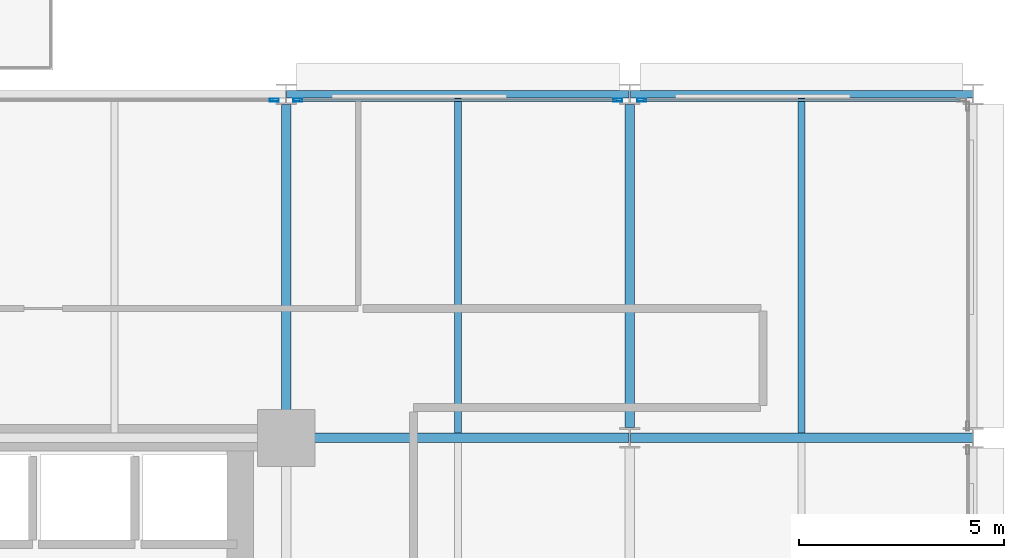
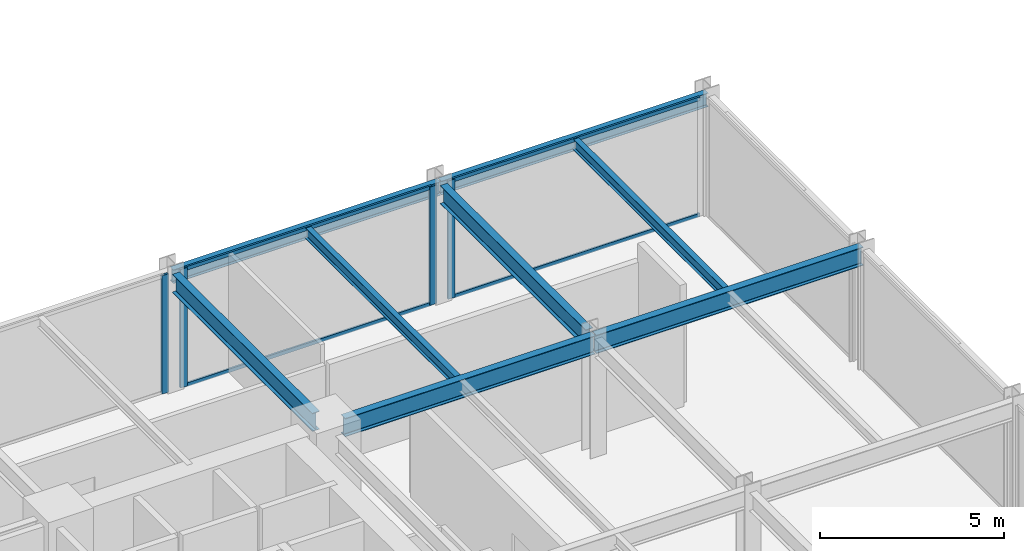
# One storey, part 12 of 25: 8 beams, 8 members, 3 elements without a shape of their own.
"""IFC4 building model written with IfcOpenShell, lengths in metres."""

from ifc_helpers import new_model, si_unit, direction, frame, origin, origin_2d, place, context, subcontext, project, spatial, hollow_rectangle, i_section, extrude, material, layer, layer_set, material_profile, profile_set, type_object, element, aggregate, save


model = new_model("IFC4")

# Units and contexts
model_context = context("Model", 3, precision=1e-05, world=origin(), true_north=direction((0.0, 1.0)))
body_context = subcontext(model_context, "Body", "Model", "MODEL_VIEW")
ifc_project = project(units=[si_unit("LENGTHUNIT", "METRE"), si_unit("AREAUNIT", "SQUARE_METRE"), si_unit("VOLUMEUNIT", "CUBIC_METRE"), si_unit("PLANEANGLEUNIT", "RADIAN"), si_unit("MASSUNIT", "GRAM", prefix="KILO")], contexts=[model_context])

# Site, building, storey
site_placement = place(None, origin())
site = spatial("IfcSite", under=ifc_project, at=site_placement, CompositionType="ELEMENT")
building_placement = place(site_placement, origin())
building = spatial("IfcBuilding", under=site, at=building_placement, Name="Nerrivon Quay Data Exchange", CompositionType="ELEMENT")
storey_placement = place(building_placement, frame((0.0, 0.0, 29.0)))
storey = spatial("IfcBuildingStorey", under=building, at=storey_placement, Name="L06", CompositionType="ELEMENT", Elevation=29.0)

# Beams
ifc_material_1 = material(Name="Steel Grade 350", Category="steel")
ifc_material_profile_1 = material_profile(ifc_material_1, i_section(OverallWidth=0.22900390625, OverallDepth=0.612060546875, WebThickness=0.011962890625, FlangeThickness=0.01953125, FilletRadius=0.013916015625, at=origin_2d()), Name="610UB125")
ifc_profile_set_1 = profile_set([ifc_material_profile_1], Name="Steel Grade 350")
beam_type_1 = type_object("IfcBeamType", Name="BM-G1-610UB125", PredefinedType="BEAM", material=ifc_profile_set_1)
beam_1_placement = place(storey_placement, frame((34.139892578125, 16.800048828125, 3.618896484375), z_axis=(1.0, 0.0, 0.0), x_axis=(0.0, 1.0, 0.0)))
element("IfcBeam", 1, at=beam_1_placement, inside=storey, type_object=beam_type_1, Name="L06 EW Girder Y=16.8 (33.6..42.0)", PredefinedType="BEAM", context=body_context, shape_type="SweptSolid", body=[
    extrude(i_section(OverallWidth=0.22900390625, OverallDepth=0.612060546875, WebThickness=0.011962890625, FlangeThickness=0.01953125, FilletRadius=0.013916015625, at=origin_2d()), origin(), (0.0, 0.0, 1.0), 7.84619140625),
])
beam_2_placement = place(storey_placement, frame((42.013916015625, 16.800048828125, 3.618896484375), z_axis=(1.0, 0.0, 0.0), x_axis=(0.0, 1.0, 0.0)))
element("IfcBeam", 2, at=beam_2_placement, inside=storey, type_object=beam_type_1, Name="L06 EW Girder Y=16.8 (42.0..50.4)", PredefinedType="BEAM", context=body_context, shape_type="SweptSolid", body=[
    extrude(i_section(OverallWidth=0.22900390625, OverallDepth=0.612060546875, WebThickness=0.011962890625, FlangeThickness=0.01953125, FilletRadius=0.013916015625, at=origin_2d()), origin(), (0.0, 0.0, 1.0), 8.3720703125),
])
ifc_material_profile_2 = material_profile(ifc_material_1, i_section(OverallWidth=0.22802734375, OverallDepth=0.60205078125, WebThickness=0.010498046875, FlangeThickness=0.014892578125, FilletRadius=0.013916015625, at=origin_2d()), Name="610UB101")
ifc_profile_set_2 = profile_set([ifc_material_profile_2], Name="Steel Grade 350")
beam_type_2 = type_object("IfcBeamType", Name="BM-G2-610UB101", PredefinedType="BEAM", material=ifc_profile_set_2)
beam_3_placement = place(storey_placement, frame((33.60009765625, 17.340087890625, 3.6240234375), z_axis=(0.0, 1.0, 0.0), x_axis=(-1.0, 0.0, 0.0)))
element("IfcBeam", 3, at=beam_3_placement, inside=storey, type_object=beam_type_2, Name="L06 NS Girder X=33.6 (16.8..25.2)", PredefinedType="BEAM", context=body_context, shape_type="SweptSolid", body=[
    extrude(i_section(OverallWidth=0.22802734375, OverallDepth=0.60205078125, WebThickness=0.010498046875, FlangeThickness=0.014892578125, FilletRadius=0.013916015625, at=origin_2d()), origin(), (0.0, 0.0, 1.0), 7.60986328125),
])
beam_4_placement = place(storey_placement, frame((42.0, 17.050048828125, 3.6240234375), z_axis=(0.0, 1.0, 0.0), x_axis=(-1.0, 0.0, 0.0)))
element("IfcBeam", 4, at=beam_4_placement, inside=storey, type_object=beam_type_2, Name="L06 NS Girder X=42.0 (16.8..25.2)", PredefinedType="BEAM", context=body_context, shape_type="SweptSolid", body=[
    extrude(i_section(OverallWidth=0.22802734375, OverallDepth=0.60205078125, WebThickness=0.010498046875, FlangeThickness=0.014892578125, FilletRadius=0.013916015625, at=origin_2d()), origin(), (0.0, 0.0, 1.0), 7.89990234375),
])
ifc_material_profile_3 = material_profile(ifc_material_1, i_section(OverallWidth=0.172119140625, OverallDepth=0.35888671875, WebThickness=0.008056640625, FlangeThickness=0.012939453125, FilletRadius=0.011474609375, at=origin_2d()), Name="360UB56.7")
ifc_profile_set_3 = profile_set([ifc_material_profile_3], Name="Steel Grade 350")
beam_type_3 = type_object("IfcBeamType", Name="BM-J3-360UB57", PredefinedType="JOIST", material=ifc_profile_set_3)
for number, where, z_axis, x_axis, name in (
    (5, (37.800048828125, 16.91455078125, 3.74560546875), (0.0, 1.0, 0.0), (-1.0, 0.0, 0.0), "L06 Secondary Joist X=37.8 (16.8..25.2)"),
    (6, (46.199951171875, 16.91455078125, 3.74560546875), (0.0, 1.0, 0.0), (-1.0, 0.0, 0.0), "L06 Secondary Joist X=46.2 (16.8..25.2)"),
):
    element("IfcBeam", number, at=place(storey_placement, frame(where, z_axis=z_axis, x_axis=x_axis)), inside=storey, type_object=beam_type_3, Name=name, PredefinedType="JOIST", context=body_context, shape_type="SweptSolid", body=[
        extrude(i_section(OverallWidth=0.172119140625, OverallDepth=0.35888671875, WebThickness=0.008056640625, FlangeThickness=0.012939453125, FilletRadius=0.011474609375, at=origin_2d()), origin(), (0.0, 0.0, 1.0), 8.1904296875),
    ])
ifc_material_profile_4 = material_profile(ifc_material_1, i_section(OverallWidth=0.18994140625, OverallDepth=0.4541015625, WebThickness=0.008544921875, FlangeThickness=0.0126953125, FilletRadius=0.011474609375, at=origin_2d()), Name="460UB67.1")
ifc_profile_set_4 = profile_set([ifc_material_profile_4], Name="Steel Grade 350")
beam_type_4 = type_object("IfcBeamType", Name="BM-SP1-460UB67", PredefinedType="SPANDREL", material=ifc_profile_set_4)
for number, where, z_axis, x_axis, name in (
    (7, (33.614013671875, 25.199951171875, 3.697998046875), (1.0, 0.0, 0.0), (0.0, 1.0, 0.0), "L06 EW Girder Y=25.2 (33.6..42.0)"),
    (8, (42.013916015625, 25.199951171875, 3.697998046875), (1.0, 0.0, 0.0), (0.0, 1.0, 0.0), "L06 EW Girder Y=25.2 (42.0..50.4)"),
):
    element("IfcBeam", number, at=place(storey_placement, frame(where, z_axis=z_axis, x_axis=x_axis)), inside=storey, type_object=beam_type_4, Name=name, PredefinedType="SPANDREL", context=body_context, shape_type="SweptSolid", body=[
        extrude(i_section(OverallWidth=0.18994140625, OverallDepth=0.4541015625, WebThickness=0.008544921875, FlangeThickness=0.0126953125, FilletRadius=0.011474609375, at=origin_2d()), origin(), (0.0, 0.0, 1.0), 8.3720703125),
    ])

# Curtain wall, member
ifc_material_2 = material(Name="Anodised aluminium 6063-T6", Category="aluminium")
ifc_layer = layer(ifc_material_2, 0.219970703125)
ifc_layer_set = layer_set([ifc_layer], Name="Anodised aluminium 6063-T6")
curtain_wall_type = type_object("IfcCurtainWallType", Name="CW-SYS-01", PredefinedType="NOTDEFINED", material=ifc_layer_set)
curtain_wall_1_placement = place(storey_placement, origin())
curtain_wall_1 = element("IfcCurtainWall", 9, at=curtain_wall_1_placement, inside=storey, type_object=curtain_wall_type, Name="L06 Unitised Curtain Wall 28", PredefinedType="NOTDEFINED")
ifc_material_profile_5 = material_profile(ifc_material_2, hollow_rectangle(XDim=0.074951171875, YDim=0.219970703125, WallThickness=0.00390625, at=origin_2d()), Name="ALU-MULL-220x75")
ifc_profile_set_5 = profile_set([ifc_material_profile_5], Name="Anodised aluminium 6063-T6")
member_type_1 = type_object("IfcMemberType", Name="CWM-220x75", PredefinedType="MULLION", material=ifc_profile_set_5)
member_1_placement = place(storey_placement, frame((33.3125, 25.06005859375, 0.0), z_axis=(0.0, 0.0, 1.0), x_axis=(0.0, 1.0, 0.0)))
member_1 = element("IfcMember", 10, at=member_1_placement, type_object=member_type_1, Name="CW01 mullion 2", PredefinedType="MULLION", context=body_context, shape_type="SweptSolid", body=[
    extrude(hollow_rectangle(XDim=0.074951171875, YDim=0.219970703125, WallThickness=0.00390625, at=origin_2d()), origin(), (0.0, 0.0, 1.0), 3.925048828125),
])
aggregate(curtain_wall_1, [member_1])

# Curtain wall, members
curtain_wall_2_placement = place(storey_placement, origin())
curtain_wall_2 = element("IfcCurtainWall", 11, at=curtain_wall_2_placement, inside=storey, type_object=curtain_wall_type, Name="L06 Unitised Curtain Wall 29", PredefinedType="NOTDEFINED")
member_2_placement = place(storey_placement, frame((33.887451171875, 25.06005859375, 0.0), z_axis=(0.0, 0.0, 1.0), x_axis=(0.0, 1.0, 0.0)))
member_2 = element("IfcMember", 12, at=member_2_placement, type_object=member_type_1, Name="CW01 mullion 1", PredefinedType="MULLION", context=body_context, shape_type="SweptSolid", body=[
    extrude(hollow_rectangle(XDim=0.074951171875, YDim=0.219970703125, WallThickness=0.00390625, at=origin_2d()), origin(), (0.0, 0.0, 1.0), 3.925048828125),
])
member_3_placement = place(storey_placement, frame((41.71240234375, 25.06005859375, 0.0), z_axis=(0.0, 0.0, 1.0), x_axis=(0.0, 1.0, 0.0)))
member_3 = element("IfcMember", 13, at=member_3_placement, type_object=member_type_1, Name="CW01 mullion 2", PredefinedType="MULLION", context=body_context, shape_type="SweptSolid", body=[
    extrude(hollow_rectangle(XDim=0.074951171875, YDim=0.219970703125, WallThickness=0.00390625, at=origin_2d()), origin(), (0.0, 0.0, 1.0), 3.925048828125),
])

# Curtain wall, member
curtain_wall_3_placement = place(storey_placement, origin())
curtain_wall_3 = element("IfcCurtainWall", 14, at=curtain_wall_3_placement, inside=storey, type_object=curtain_wall_type, Name="L06 Unitised Curtain Wall 30", PredefinedType="NOTDEFINED")
member_4_placement = place(storey_placement, frame((42.28759765625, 25.06005859375, 0.0), z_axis=(0.0, 0.0, 1.0), x_axis=(0.0, 1.0, 0.0)))
member_4 = element("IfcMember", 15, at=member_4_placement, type_object=member_type_1, Name="CW01 mullion 1", PredefinedType="MULLION", context=body_context, shape_type="SweptSolid", body=[
    extrude(hollow_rectangle(XDim=0.074951171875, YDim=0.219970703125, WallThickness=0.00390625, at=origin_2d()), origin(), (0.0, 0.0, 1.0), 3.925048828125),
])

# Member
ifc_material_profile_6 = material_profile(ifc_material_2, hollow_rectangle(XDim=0.06005859375, YDim=0.1201171875, WallThickness=0.003173828125, at=origin_2d()), Name="ALU-TRAN-120x60")
ifc_profile_set_6 = profile_set([ifc_material_profile_6], Name="Anodised aluminium 6063-T6")
member_type_2 = type_object("IfcMemberType", Name="CWT-120x60", PredefinedType="USERDEFINED", material=ifc_profile_set_6)
member_5_placement = place(storey_placement, frame((33.925048828125, 25.06005859375, 0.032470703125), z_axis=(1.0, 0.0, 0.0), x_axis=(0.0, 1.0, 0.0)))
member_5 = element("IfcMember", 16, at=member_5_placement, type_object=member_type_2, Name="CW01 transom 1.1", ObjectType="TRANSOM", PredefinedType="USERDEFINED", context=body_context, shape_type="SweptSolid", body=[
    extrude(hollow_rectangle(XDim=0.06005859375, YDim=0.1201171875, WallThickness=0.003173828125, at=origin_2d()), origin(), (0.0, 0.0, 1.0), 7.75),
])

member_6_placement = place(storey_placement, frame((33.925048828125, 25.06005859375, 3.892578125), z_axis=(1.0, 0.0, 0.0), x_axis=(0.0, 1.0, 0.0)))
member_6 = element("IfcMember", 17, at=member_6_placement, type_object=member_type_2, Name="CW01 transom 1.2", ObjectType="TRANSOM", PredefinedType="USERDEFINED", context=body_context, shape_type="SweptSolid", body=[
    extrude(hollow_rectangle(XDim=0.06005859375, YDim=0.1201171875, WallThickness=0.003173828125, at=origin_2d()), origin(), (0.0, 0.0, 1.0), 7.75),
])

aggregate(curtain_wall_2, [member_2, member_3, member_5, member_6])

member_7_placement = place(storey_placement, frame((42.324951171875, 25.06005859375, 0.032470703125), z_axis=(1.0, 0.0, 0.0), x_axis=(0.0, 1.0, 0.0)))
member_7 = element("IfcMember", 18, at=member_7_placement, type_object=member_type_2, Name="CW01 transom 1.1", ObjectType="TRANSOM", PredefinedType="USERDEFINED", context=body_context, shape_type="SweptSolid", body=[
    extrude(hollow_rectangle(XDim=0.06005859375, YDim=0.1201171875, WallThickness=0.003173828125, at=origin_2d()), origin(), (0.0, 0.0, 1.0), 7.75),
])

member_8_placement = place(storey_placement, frame((42.324951171875, 25.06005859375, 3.892578125), z_axis=(1.0, 0.0, 0.0), x_axis=(0.0, 1.0, 0.0)))
member_8 = element("IfcMember", 19, at=member_8_placement, type_object=member_type_2, Name="CW01 transom 1.2", ObjectType="TRANSOM", PredefinedType="USERDEFINED", context=body_context, shape_type="SweptSolid", body=[
    extrude(hollow_rectangle(XDim=0.06005859375, YDim=0.1201171875, WallThickness=0.003173828125, at=origin_2d()), origin(), (0.0, 0.0, 1.0), 7.75),
])

aggregate(curtain_wall_3, [member_4, member_7, member_8])

save(model, "model.ifc")
